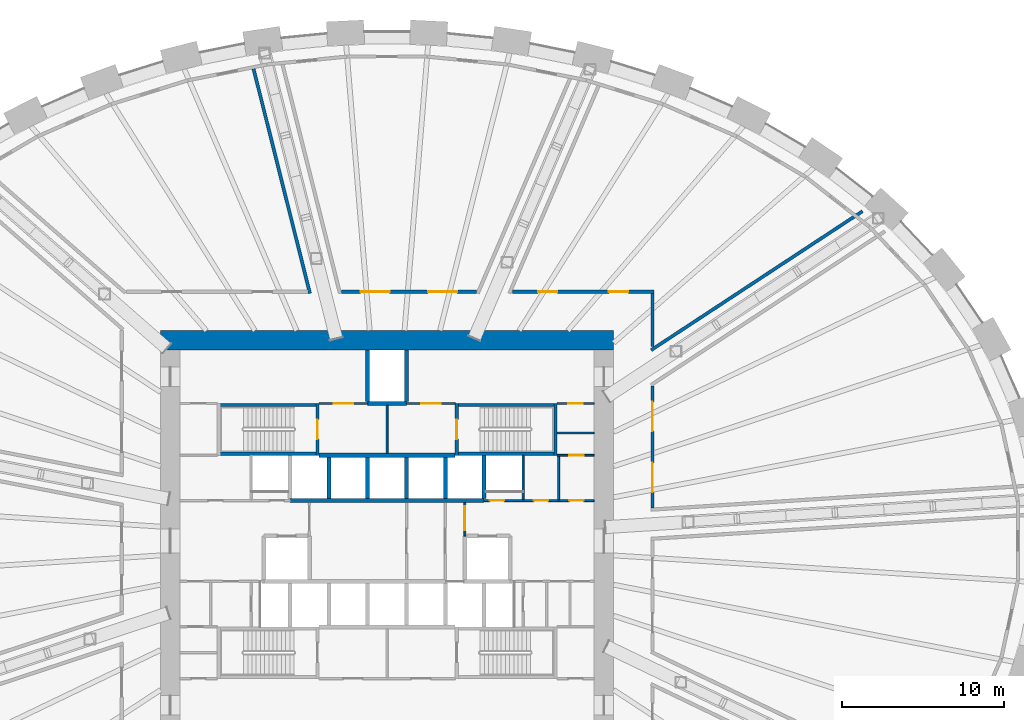
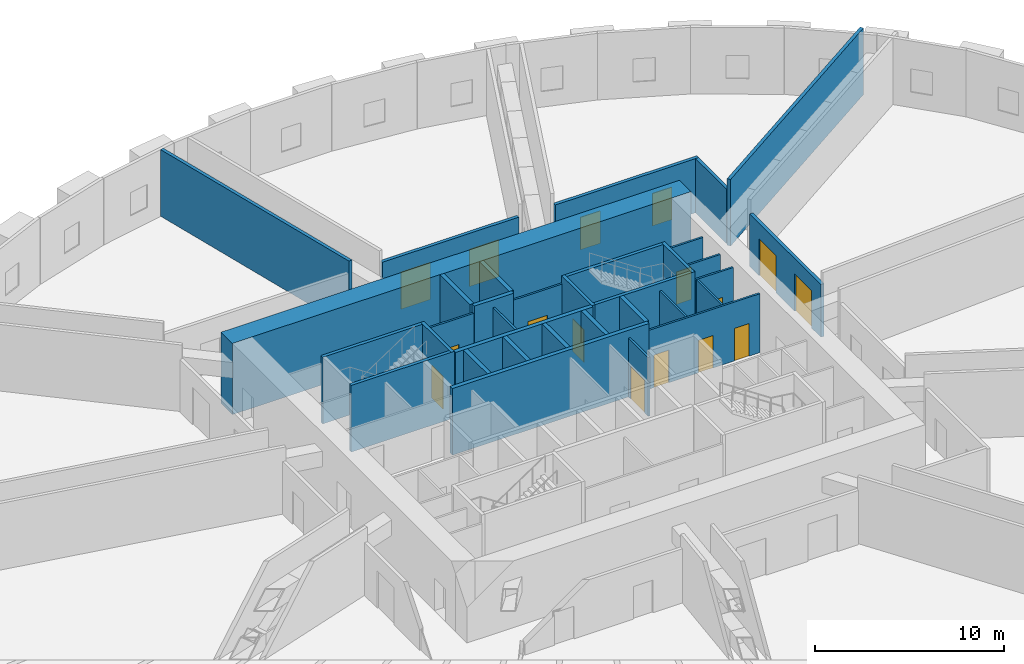
# One storey, part 11 of 14: 34 walls, 16 doors, 16 openings.
"""IFC4 building model written with IfcOpenShell, lengths in metres."""

from ifc_helpers import new_model, si_unit, direction, frame, frame_2d, origin, place, context, subcontext, project, spatial, rectangle, extrude, source, transform, mapped, material, layer, layer_set, type_object, element, fill, save


model = new_model("IFC4")

# Units and contexts
model_context = context("Model", 3, precision=1e-05, world=origin(), true_north=direction((0.0, 1.0)))
body_context = subcontext(model_context, "Body", "Model", "MODEL_VIEW")
ifc_project = project(units=[si_unit("LENGTHUNIT", "METRE"), si_unit("AREAUNIT", "SQUARE_METRE"), si_unit("VOLUMEUNIT", "CUBIC_METRE"), si_unit("PLANEANGLEUNIT", "RADIAN"), si_unit("MASSUNIT", "GRAM", prefix="KILO")], contexts=[model_context])

# Site, building, storey
site_placement = place(None, origin())
site = spatial("IfcSite", under=ifc_project, at=site_placement, CompositionType="ELEMENT")
building_placement = place(site_placement, origin())
building = spatial("IfcBuilding", under=site, at=building_placement, Name="Embergate Tower", CompositionType="ELEMENT")
storey_placement = place(building_placement, frame((0.0, 0.0, 101.0)))
storey = spatial("IfcBuildingStorey", under=building, at=storey_placement, Name="L21", CompositionType="ELEMENT", Elevation=101.0)

# Walls
ifc_material_1 = material(Name="Concrete C80", Category="concrete")
ifc_layer_1 = layer(ifc_material_1, 1.199951171875)
ifc_layer_set_1 = layer_set([ifc_layer_1], Name="Concrete C80")
wall_type_1 = type_object("IfcWallType", Name="Core outer wall C80 1200", PredefinedType="SHEAR", material=ifc_layer_set_1)
shared_shape_1 = source(origin(), body_context, "Body", "SweptSolid", [
    extrude(rectangle(XDim=28.0, YDim=1.199951171875, at=frame_2d((14.0, 0.0))), origin(), (0.0, 0.0, 1.0), 4.60009765625),
])
wall_1_placement = place(storey_placement, frame((-14.0, 12.39990234375, -0.300048828125), z_axis=(0.0, 0.0, 1.0), x_axis=(1.0, 0.0, 0.0)))
element("IfcWall", 1, at=wall_1_placement, inside=storey, type_object=wall_type_1, Name="CW-L21-N", PredefinedType="SHEAR", context=body_context, shape_type="MappedRepresentation", body=[
    mapped(shared_shape_1, transform((0.0, 0.0, 0.0))),
])
ifc_material_2 = material(Name="Concrete C50", Category="concrete")
ifc_layer_2 = layer(ifc_material_2, 0.25)
ifc_layer_set_2 = layer_set([ifc_layer_2], Name="Concrete C50")
wall_type_2 = type_object("IfcWallType", Name="Hoistway wall reinforced concrete 250", PredefinedType="SHEAR", material=ifc_layer_set_2)
shared_shape_2 = source(origin(), body_context, "Body", "SweptSolid", [
    extrude(rectangle(XDim=2.675048828125, YDim=0.25, at=frame_2d((1.33740234375, 0.0))), origin(), (0.0, 0.0, 1.0), 4.300048828125),
])
wall_2_placement = place(storey_placement, frame((6.0, 2.625, 0.0), z_axis=(0.0, 0.0, 1.0), x_axis=(0.0, 1.0, 0.0)))
element("IfcWall", 2, at=wall_2_placement, inside=storey, type_object=wall_type_2, Name="HW-1 wall", PredefinedType="SHEAR", context=body_context, shape_type="MappedRepresentation", body=[
    mapped(shared_shape_2, transform((0.0, 0.0, 0.0))),
])
ifc_layer_3 = layer(ifc_material_2, 0.199951171875)
ifc_layer_set_3 = layer_set([ifc_layer_3], Name="Concrete C50")
wall_type_3 = type_object("IfcWallType", Name="Stair enclosure wall reinforced concrete 250", PredefinedType="SHEAR", material=ifc_layer_set_3)
shared_shape_3 = source(origin(), body_context, "Body", "SweptSolid", [
    extrude(rectangle(XDim=6.300048828125, YDim=0.199951171875, at=frame_2d((3.14990234375, 0.0))), origin(), (0.0, 0.0, 1.0), 4.300048828125),
])
for number, where, z_axis, x_axis, name in (
    (3, (-4.199951171875, 5.39990234375, 0.0), (0.0, 0.0, 1.0), (-1.0, 0.0, 0.0), "SE-1 wall"),
    (4, (10.5, 5.39990234375, 0.0), (0.0, 0.0, 1.0), (-1.0, 0.0, 0.0), "SE-1 wall"),
    (5, (-4.199951171875, 8.39990234375, 0.0), (0.0, 0.0, 1.0), (-1.0, 0.0, 0.0), "SE-1 wall"),
    (6, (10.5, 8.39990234375, 0.0), (0.0, 0.0, 1.0), (-1.0, 0.0, 0.0), "SE-1 wall"),
):
    element("IfcWall", number, at=place(storey_placement, frame(where, z_axis=z_axis, x_axis=x_axis)), inside=storey, type_object=wall_type_3, Name=name, PredefinedType="SHEAR", context=body_context, shape_type="MappedRepresentation", body=[
        mapped(shared_shape_3, transform((0.0, 0.0, 0.0))),
    ])
shared_shape_4 = source(origin(), body_context, "Body", "SweptSolid", [
    extrude(rectangle(XDim=2.550048828125, YDim=0.25, at=frame_2d((1.27490234375, 0.0))), origin(), (0.0, 0.0, 1.0), 4.300048828125),
])
for number, where, z_axis, x_axis, name in (
    (7, (-3.60009765625, 2.625, 0.0), (0.0, 0.0, 1.0), (0.0, 1.0, 0.0), "HW-1 wall"),
    (8, (-1.199951171875, 2.625, 0.0), (0.0, 0.0, 1.0), (0.0, 1.0, 0.0), "HW-1 wall"),
    (9, (1.199951171875, 2.625, 0.0), (0.0, 0.0, 1.0), (0.0, 1.0, 0.0), "HW-1 wall"),
    (10, (3.60009765625, 2.625, 0.0), (0.0, 0.0, 1.0), (0.0, 1.0, 0.0), "HW-1 wall"),
):
    element("IfcWall", number, at=place(storey_placement, frame(where, z_axis=z_axis, x_axis=x_axis)), inside=storey, type_object=wall_type_2, Name=name, PredefinedType="SHEAR", context=body_context, shape_type="MappedRepresentation", body=[
        mapped(shared_shape_4, transform((0.0, 0.0, 0.0))),
    ])
shared_shape_5 = source(origin(), body_context, "Body", "SweptSolid", [
    extrude(rectangle(XDim=12.0, YDim=0.25, at=frame_2d((6.0, 0.0))), origin(), (0.0, 0.0, 1.0), 4.300048828125),
])
wall_3_placement = place(storey_placement, frame((-6.0, 2.5, 0.0), z_axis=(0.0, 0.0, 1.0), x_axis=(1.0, 0.0, 0.0)))
element("IfcWall", 11, at=wall_3_placement, inside=storey, type_object=wall_type_2, Name="HW-1 wall", PredefinedType="SHEAR", context=body_context, shape_type="MappedRepresentation", body=[
    mapped(shared_shape_5, transform((0.0, 0.0, 0.0))),
])
shared_shape_6 = source(origin(), body_context, "Body", "SweptSolid", [
    extrude(rectangle(XDim=8.39990234375, YDim=0.25, at=frame_2d((4.199951171875, 0.0))), origin(), (0.0, 0.0, 1.0), 4.300048828125),
])
wall_4_placement = place(storey_placement, frame((4.199951171875, 5.300048828125, 0.0), z_axis=(0.0, 0.0, 1.0), x_axis=(-1.0, 0.0, 0.0)))
element("IfcWall", 12, at=wall_4_placement, inside=storey, type_object=wall_type_2, Name="HW-1 wall", PredefinedType="SHEAR", context=body_context, shape_type="MappedRepresentation", body=[
    mapped(shared_shape_6, transform((0.0, 0.0, 0.0))),
])

# Wall, opening, door
shared_shape_7 = source(origin(), body_context, "Body", "SweptSolid", [
    extrude(rectangle(XDim=3.199951171875, YDim=0.199951171875, at=frame_2d((1.60009765625, 0.0))), origin(), (0.0, 0.0, 1.0), 4.300048828125),
])
wall_5_placement = place(storey_placement, frame((-4.300048828125, 5.300048828125, 0.0), z_axis=(0.0, 0.0, 1.0), x_axis=(0.0, 1.0, 0.0)))
wall_5 = element("IfcWall", 13, at=wall_5_placement, inside=storey, type_object=wall_type_3, Name="SE-1 wall", PredefinedType="SHEAR", context=body_context, shape_type="MappedRepresentation", body=[
    mapped(shared_shape_7, transform((0.0, 0.0, 0.0))),
])
shared_shape_8 = source(origin(), body_context, "Body", "SweptSolid", [
    extrude(rectangle(XDim=1.199951171875, YDim=2.10009765625, at=frame_2d((0.60009765625, 1.050048828125))), frame((0.0, 0.10986328125, 0.0), z_axis=(0.0, -1.0, 0.0), x_axis=(1.0, 0.0, 0.0)), (0.0, 0.0, 1.0), 0.219970703125),
])
opening_1_placement = place(wall_5_placement, frame((1.0, 0.0, 0.0)))
opening_1 = element("IfcOpeningElement", 14, at=opening_1_placement, cuts=wall_5, Name="Opening IF-2", PredefinedType="OPENING", context=body_context, shape_type="MappedRepresentation", body=[
    mapped(shared_shape_8, transform((0.0, 0.0, 0.0))),
])
ifc_material_3 = material(Name="Stair enclosure door 1200")
door_type_1 = type_object("IfcDoorType", Name="Stair enclosure door 1200", OperationType="SINGLE_SWING_LEFT", PredefinedType="DOOR", material=ifc_material_3)
shared_shape_9 = source(origin(), body_context, "Body", "SweptSolid", [
    extrude(rectangle(XDim=1.199951171875, YDim=2.10009765625, at=frame_2d((0.60009765625, 1.050048828125))), frame((0.0, 0.02490234375, 0.0), z_axis=(0.0, -1.0, 0.0), x_axis=(1.0, 0.0, 0.0)), (0.0, 0.0, 1.0), 0.050048828125),
])
door_1_placement = place(opening_1_placement, origin())
door_1 = element("IfcDoor", 15, at=door_1_placement, inside=storey, type_object=door_type_1, Name="IF-2 door", OperationType="SINGLE_SWING_LEFT", OverallHeight=2.10009765625, OverallWidth=1.199951171875, PredefinedType="DOOR", context=body_context, shape_type="MappedRepresentation", body=[
    mapped(shared_shape_9, transform((0.0, 0.0, 0.0))),
])
fill(opening_1, door_1)

wall_6_placement = place(storey_placement, frame((4.300048828125, 8.5, 0.0), z_axis=(0.0, 0.0, 1.0), x_axis=(0.0, -1.0, 0.0)))
wall_6 = element("IfcWall", 16, at=wall_6_placement, inside=storey, type_object=wall_type_3, Name="SE-1 wall", PredefinedType="SHEAR", context=body_context, shape_type="MappedRepresentation", body=[
    mapped(shared_shape_7, transform((0.0, 0.0, 0.0))),
])
opening_2_placement = place(wall_6_placement, frame((1.0, 0.0, 0.0)))
opening_2 = element("IfcOpeningElement", 17, at=opening_2_placement, cuts=wall_6, Name="Opening IF-2", PredefinedType="OPENING", context=body_context, shape_type="MappedRepresentation", body=[
    mapped(shared_shape_8, transform((0.0, 0.0, 0.0))),
])
door_2_placement = place(opening_2_placement, origin())
door_2 = element("IfcDoor", 18, at=door_2_placement, inside=storey, type_object=door_type_1, Name="IF-2 door", OperationType="SINGLE_SWING_LEFT", OverallHeight=2.10009765625, OverallWidth=1.199951171875, PredefinedType="DOOR", context=body_context, shape_type="MappedRepresentation", body=[
    mapped(shared_shape_9, transform((0.0, 0.0, 0.0))),
])
fill(opening_2, door_2)

# Walls
wall_7_placement = place(storey_placement, frame((10.39990234375, 5.300048828125, 0.0), z_axis=(0.0, 0.0, 1.0), x_axis=(0.0, 1.0, 0.0)))
element("IfcWall", 19, at=wall_7_placement, inside=storey, type_object=wall_type_3, Name="SE-1 wall", PredefinedType="SHEAR", context=body_context, shape_type="MappedRepresentation", body=[
    mapped(shared_shape_7, transform((0.0, 0.0, 0.0))),
])
shared_shape_10 = source(origin(), body_context, "Body", "SweptSolid", [
    extrude(rectangle(XDim=2.39990234375, YDim=0.25, at=frame_2d((1.199951171875, 0.0))), origin(), (0.0, 0.0, 1.0), 4.300048828125),
])
wall_8_placement = place(storey_placement, frame((1.199951171875, 8.5, 0.0), z_axis=(0.0, 0.0, 1.0), x_axis=(-1.0, 0.0, 0.0)))
element("IfcWall", 20, at=wall_8_placement, inside=storey, type_object=wall_type_2, Name="HW-1 wall", PredefinedType="SHEAR", context=body_context, shape_type="MappedRepresentation", body=[
    mapped(shared_shape_10, transform((0.0, 0.0, 0.0))),
])
shared_shape_11 = source(origin(), body_context, "Body", "SweptSolid", [
    extrude(rectangle(XDim=3.175048828125, YDim=0.25, at=frame_2d((1.58740234375, 0.0))), origin(), (0.0, 0.0, 1.0), 4.300048828125),
])
for number, where, z_axis, x_axis, name in (
    (21, (-1.199951171875, 8.625, 0.0), (0.0, 0.0, 1.0), (0.0, 1.0, 0.0), "HW-1 wall"),
    (22, (1.199951171875, 11.800048828125, 0.0), (0.0, 0.0, 1.0), (0.0, -1.0, 0.0), "HW-1 wall"),
):
    element("IfcWall", number, at=place(storey_placement, frame(where, z_axis=z_axis, x_axis=x_axis)), inside=storey, type_object=wall_type_2, Name=name, PredefinedType="SHEAR", context=body_context, shape_type="MappedRepresentation", body=[
        mapped(shared_shape_11, transform((0.0, 0.0, 0.0))),
    ])

# Wall, openings, doors
ifc_material_4 = material(Name="Core partition blockwork 120")
ifc_layer_4 = layer(ifc_material_4, 0.1201171875)
ifc_layer_set_4 = layer_set([ifc_layer_4], Name="Core partition blockwork 120")
wall_type_4 = type_object("IfcWallType", Name="Core partition blockwork 120", PredefinedType="PARTITIONING", material=ifc_layer_set_4)
shared_shape_12 = source(origin(), body_context, "Body", "SweptSolid", [
    extrude(rectangle(XDim=6.800048828125, YDim=0.1201171875, at=frame_2d((3.39990234375, 0.0))), origin(), (0.0, 0.0, 1.0), 3.800048828125),
])
wall_9_placement = place(storey_placement, frame((6.0, 2.5, 0.0), z_axis=(0.0, 0.0, 1.0), x_axis=(1.0, 0.0, 0.0)))
wall_9 = element("IfcWall", 23, at=wall_9_placement, inside=storey, type_object=wall_type_4, Name="IP-3 wall", PredefinedType="PARTITIONING", context=body_context, shape_type="MappedRepresentation", body=[
    mapped(shared_shape_12, transform((0.0, 0.0, 0.0))),
])
shared_shape_13 = source(origin(), body_context, "Body", "SweptSolid", [
    extrude(rectangle(XDim=0.89990234375, YDim=2.10009765625, at=frame_2d((0.449951171875, 1.050048828125))), frame((0.0, 0.070068359375, 0.0), z_axis=(0.0, -1.0, 0.0), x_axis=(1.0, 0.0, 0.0)), (0.0, 0.0, 1.0), 0.14013671875),
])
opening_3_placement = place(wall_9_placement, frame((0.35009765625, 0.0, 0.0)))
opening_3 = element("IfcOpeningElement", 24, at=opening_3_placement, cuts=wall_9, Name="Opening ID-1", PredefinedType="OPENING", context=body_context, shape_type="MappedRepresentation", body=[
    mapped(shared_shape_13, transform((0.0, 0.0, 0.0))),
])
opening_4_placement = place(wall_9_placement, frame((3.050048828125, 0.0, 0.0)))
opening_4 = element("IfcOpeningElement", 25, at=opening_4_placement, cuts=wall_9, Name="Opening ID-1", PredefinedType="OPENING", context=body_context, shape_type="MappedRepresentation", body=[
    mapped(shared_shape_13, transform((0.0, 0.0, 0.0))),
])
opening_5_placement = place(wall_9_placement, frame((5.25, 0.0, 0.0)))
opening_5 = element("IfcOpeningElement", 26, at=opening_5_placement, cuts=wall_9, Name="Opening ID-1", PredefinedType="OPENING", context=body_context, shape_type="MappedRepresentation", body=[
    mapped(shared_shape_13, transform((0.0, 0.0, 0.0))),
])
ifc_material_5 = material(Name="Interior door 900")
door_type_2 = type_object("IfcDoorType", Name="Interior door 900", OperationType="SINGLE_SWING_LEFT", PredefinedType="DOOR", material=ifc_material_5)
shared_shape_14 = source(origin(), body_context, "Body", "SweptSolid", [
    extrude(rectangle(XDim=0.89990234375, YDim=2.10009765625, at=frame_2d((0.449951171875, 1.050048828125))), frame((0.0, 0.02490234375, 0.0), z_axis=(0.0, -1.0, 0.0), x_axis=(1.0, 0.0, 0.0)), (0.0, 0.0, 1.0), 0.050048828125),
])
door_3_placement = place(opening_3_placement, origin())
door_3 = element("IfcDoor", 27, at=door_3_placement, inside=storey, type_object=door_type_2, Name="ID-1 door", OperationType="SINGLE_SWING_RIGHT", OverallHeight=2.10009765625, OverallWidth=0.89990234375, PredefinedType="DOOR", context=body_context, shape_type="MappedRepresentation", body=[
    mapped(shared_shape_14, transform((0.0, 0.0, 0.0))),
])
fill(opening_3, door_3)
door_4_placement = place(opening_4_placement, origin())
door_4 = element("IfcDoor", 28, at=door_4_placement, inside=storey, type_object=door_type_2, Name="ID-1 door", OperationType="SINGLE_SWING_LEFT", OverallHeight=2.10009765625, OverallWidth=0.89990234375, PredefinedType="DOOR", context=body_context, shape_type="MappedRepresentation", body=[
    mapped(shared_shape_14, transform((0.0, 0.0, 0.0))),
])
fill(opening_4, door_4)
door_5_placement = place(opening_5_placement, origin())
door_5 = element("IfcDoor", 29, at=door_5_placement, inside=storey, type_object=door_type_2, Name="ID-1 door", OperationType="SINGLE_SWING_LEFT", OverallHeight=2.10009765625, OverallWidth=0.89990234375, PredefinedType="DOOR", context=body_context, shape_type="MappedRepresentation", body=[
    mapped(shared_shape_14, transform((0.0, 0.0, 0.0))),
])
fill(opening_5, door_5)

# Wall
shared_shape_15 = source(origin(), body_context, "Body", "SweptSolid", [
    extrude(rectangle(XDim=2.739990234375, YDim=0.1201171875, at=frame_2d((1.3701171875, 0.0))), origin(), (0.0, 0.0, 1.0), 3.800048828125),
])
wall_10_placement = place(storey_placement, frame((8.39990234375, 2.56005859375, 0.0), z_axis=(0.0, 0.0, 1.0), x_axis=(0.0, 1.0, 0.0)))
element("IfcWall", 30, at=wall_10_placement, inside=storey, type_object=wall_type_4, Name="IP-3 wall", PredefinedType="PARTITIONING", context=body_context, shape_type="MappedRepresentation", body=[
    mapped(shared_shape_15, transform((0.0, 0.0, 0.0))),
])

# Wall, opening, door
shared_shape_16 = source(origin(), body_context, "Body", "SweptSolid", [
    extrude(rectangle(XDim=2.074951171875, YDim=0.1201171875, at=frame_2d((1.03759765625, 0.0))), origin(), (0.0, 0.0, 1.0), 3.800048828125),
])
wall_11_placement = place(storey_placement, frame((4.800048828125, 0.300048828125, 0.0), z_axis=(0.0, 0.0, 1.0), x_axis=(0.0, 1.0, 0.0)))
wall_11 = element("IfcWall", 31, at=wall_11_placement, inside=storey, type_object=wall_type_4, Name="IP-3 wall", PredefinedType="PARTITIONING", context=body_context, shape_type="MappedRepresentation", body=[
    mapped(shared_shape_16, transform((0.0, 0.0, 0.0))),
])
shared_shape_17 = source(origin(), body_context, "Body", "SweptSolid", [
    extrude(rectangle(XDim=1.5, YDim=2.10009765625, at=frame_2d((0.75, 1.050048828125))), frame((0.0, 0.070068359375, 0.0), z_axis=(0.0, -1.0, 0.0), x_axis=(1.0, 0.0, 0.0)), (0.0, 0.0, 1.0), 0.14013671875),
])
opening_6_placement = place(wall_11_placement, frame((0.35009765625, 0.0, 0.0)))
opening_6 = element("IfcOpeningElement", 32, at=opening_6_placement, cuts=wall_11, Name="Opening IF-3", PredefinedType="OPENING", context=body_context, shape_type="MappedRepresentation", body=[
    mapped(shared_shape_17, transform((0.0, 0.0, 0.0))),
])
ifc_material_6 = material(Name="Lobby fire door pair 1500")
door_type_3 = type_object("IfcDoorType", Name="Lobby fire door pair 1500", OperationType="DOUBLE_DOOR_SINGLE_SWING", PredefinedType="DOOR", material=ifc_material_6)
shared_shape_18 = source(origin(), body_context, "Body", "SweptSolid", [
    extrude(rectangle(XDim=1.5, YDim=2.10009765625, at=frame_2d((0.75, 1.050048828125))), frame((0.0, 0.02490234375, 0.0), z_axis=(0.0, -1.0, 0.0), x_axis=(1.0, 0.0, 0.0)), (0.0, 0.0, 1.0), 0.050048828125),
])
door_6_placement = place(opening_6_placement, origin())
door_6 = element("IfcDoor", 33, at=door_6_placement, inside=storey, type_object=door_type_3, Name="IF-3 door", OperationType="DOUBLE_DOOR_SINGLE_SWING", OverallHeight=2.10009765625, OverallWidth=1.5, PredefinedType="DOOR", context=body_context, shape_type="MappedRepresentation", body=[
    mapped(shared_shape_18, transform((0.0, 0.0, 0.0))),
])
fill(opening_6, door_6)

# Wall
shared_shape_19 = source(origin(), body_context, "Body", "SweptSolid", [
    extrude(rectangle(XDim=2.949951171875, YDim=0.1201171875, at=frame_2d((1.47509765625, 0.0))), origin(), (0.0, 0.0, 1.0), 3.800048828125),
])
wall_12_placement = place(storey_placement, frame((0.0, 5.425048828125, 0.0), z_axis=(0.0, 0.0, 1.0), x_axis=(0.0, 1.0, 0.0)))
element("IfcWall", 34, at=wall_12_placement, inside=storey, type_object=wall_type_4, Name="IP-3 wall", PredefinedType="PARTITIONING", context=body_context, shape_type="MappedRepresentation", body=[
    mapped(shared_shape_19, transform((0.0, 0.0, 0.0))),
])

# Wall, opening, door
shared_shape_20 = source(origin(), body_context, "Body", "SweptSolid", [
    extrude(rectangle(XDim=3.0, YDim=0.1201171875, at=frame_2d((1.5, 0.0))), origin(), (0.0, 0.0, 1.0), 3.800048828125),
])
wall_13_placement = place(storey_placement, frame((-1.199951171875, 8.5, 0.0), z_axis=(0.0, 0.0, 1.0), x_axis=(-1.0, 0.0, 0.0)))
wall_13 = element("IfcWall", 35, at=wall_13_placement, inside=storey, type_object=wall_type_4, Name="IP-3 wall", PredefinedType="PARTITIONING", context=body_context, shape_type="MappedRepresentation", body=[
    mapped(shared_shape_20, transform((0.0, 0.0, 0.0))),
])
shared_shape_21 = source(origin(), body_context, "Body", "SweptSolid", [
    extrude(rectangle(XDim=1.199951171875, YDim=2.10009765625, at=frame_2d((0.60009765625, 1.050048828125))), frame((0.0, 0.070068359375, 0.0), z_axis=(0.0, -1.0, 0.0), x_axis=(1.0, 0.0, 0.0)), (0.0, 0.0, 1.0), 0.14013671875),
])
opening_7_placement = place(wall_13_placement, frame((0.89990234375, 0.0, 0.0)))
opening_7 = element("IfcOpeningElement", 36, at=opening_7_placement, cuts=wall_13, Name="Opening IF-3f", PredefinedType="OPENING", context=body_context, shape_type="MappedRepresentation", body=[
    mapped(shared_shape_21, transform((0.0, 0.0, 0.0))),
])
ifc_material_7 = material(Name="Lobby fire door pair 1200")
door_type_4 = type_object("IfcDoorType", Name="Lobby fire door pair 1200", OperationType="DOUBLE_DOOR_SINGLE_SWING", PredefinedType="DOOR", material=ifc_material_7)
door_7_placement = place(opening_7_placement, origin())
door_7 = element("IfcDoor", 37, at=door_7_placement, inside=storey, type_object=door_type_4, Name="IF-3 door", OperationType="DOUBLE_DOOR_SINGLE_SWING", OverallHeight=2.10009765625, OverallWidth=1.199951171875, PredefinedType="DOOR", context=body_context, shape_type="MappedRepresentation", body=[
    mapped(shared_shape_9, transform((0.0, 0.0, 0.0))),
])
fill(opening_7, door_7)

wall_14_placement = place(storey_placement, frame((4.199951171875, 8.5, 0.0), z_axis=(0.0, 0.0, 1.0), x_axis=(-1.0, 0.0, 0.0)))
wall_14 = element("IfcWall", 38, at=wall_14_placement, inside=storey, type_object=wall_type_4, Name="IP-3 wall", PredefinedType="PARTITIONING", context=body_context, shape_type="MappedRepresentation", body=[
    mapped(shared_shape_20, transform((0.0, 0.0, 0.0))),
])
opening_8_placement = place(wall_14_placement, frame((0.89990234375, 0.0, 0.0)))
opening_8 = element("IfcOpeningElement", 39, at=opening_8_placement, cuts=wall_14, Name="Opening IF-3f", PredefinedType="OPENING", context=body_context, shape_type="MappedRepresentation", body=[
    mapped(shared_shape_21, transform((0.0, 0.0, 0.0))),
])
door_8_placement = place(opening_8_placement, origin())
door_8 = element("IfcDoor", 40, at=door_8_placement, inside=storey, type_object=door_type_4, Name="IF-3 door", OperationType="DOUBLE_DOOR_SINGLE_SWING", OverallHeight=2.10009765625, OverallWidth=1.199951171875, PredefinedType="DOOR", context=body_context, shape_type="MappedRepresentation", body=[
    mapped(shared_shape_9, transform((0.0, 0.0, 0.0))),
])
fill(opening_8, door_8)

shared_shape_22 = source(origin(), body_context, "Body", "SweptSolid", [
    extrude(rectangle(XDim=2.300048828125, YDim=0.1201171875, at=frame_2d((1.14990234375, 0.0))), origin(), (0.0, 0.0, 1.0), 3.800048828125),
])
wall_15_placement = place(storey_placement, frame((10.5, 8.5, 0.0), z_axis=(0.0, 0.0, 1.0), x_axis=(1.0, 0.0, 0.0)))
wall_15 = element("IfcWall", 41, at=wall_15_placement, inside=storey, type_object=wall_type_4, Name="IP-3 wall", PredefinedType="PARTITIONING", context=body_context, shape_type="MappedRepresentation", body=[
    mapped(shared_shape_22, transform((0.0, 0.0, 0.0))),
])
opening_9_placement = place(wall_15_placement, frame((0.699951171875, 0.0, 0.0)))
opening_9 = element("IfcOpeningElement", 42, at=opening_9_placement, cuts=wall_15, Name="Opening ID-1", PredefinedType="OPENING", context=body_context, shape_type="MappedRepresentation", body=[
    mapped(shared_shape_13, transform((0.0, 0.0, 0.0))),
])
door_9_placement = place(opening_9_placement, origin())
door_9 = element("IfcDoor", 43, at=door_9_placement, inside=storey, type_object=door_type_2, Name="ID-1 door", OperationType="SINGLE_SWING_RIGHT", OverallHeight=2.10009765625, OverallWidth=0.89990234375, PredefinedType="DOOR", context=body_context, shape_type="MappedRepresentation", body=[
    mapped(shared_shape_14, transform((0.0, 0.0, 0.0))),
])
fill(opening_9, door_9)

wall_16_placement = place(storey_placement, frame((12.800048828125, 5.300048828125, 0.0), z_axis=(0.0, 0.0, 1.0), x_axis=(-1.0, 0.0, 0.0)))
wall_16 = element("IfcWall", 44, at=wall_16_placement, inside=storey, type_object=wall_type_4, Name="IP-3 wall", PredefinedType="PARTITIONING", context=body_context, shape_type="MappedRepresentation", body=[
    mapped(shared_shape_22, transform((0.0, 0.0, 0.0))),
])
opening_10_placement = place(wall_16_placement, frame((0.64990234375, 0.0, 0.0)))
opening_10 = element("IfcOpeningElement", 45, at=opening_10_placement, cuts=wall_16, Name="Opening ID-1", PredefinedType="OPENING", context=body_context, shape_type="MappedRepresentation", body=[
    mapped(shared_shape_13, transform((0.0, 0.0, 0.0))),
])
door_10_placement = place(opening_10_placement, origin())
door_10 = element("IfcDoor", 46, at=door_10_placement, inside=storey, type_object=door_type_2, Name="ID-1 door", OperationType="SINGLE_SWING_LEFT", OverallHeight=2.10009765625, OverallWidth=0.89990234375, PredefinedType="DOOR", context=body_context, shape_type="MappedRepresentation", body=[
    mapped(shared_shape_14, transform((0.0, 0.0, 0.0))),
])
fill(opening_10, door_10)

# Walls
wall_17_placement = place(storey_placement, frame((12.800048828125, 6.676025390625, 0.0), z_axis=(0.0, 0.0, 1.0), x_axis=(-1.0, 0.0, 0.0)))
element("IfcWall", 47, at=wall_17_placement, inside=storey, type_object=wall_type_4, Name="IP-3 wall", PredefinedType="PARTITIONING", context=body_context, shape_type="MappedRepresentation", body=[
    mapped(shared_shape_22, transform((0.0, 0.0, 0.0))),
])
shared_shape_23 = source(origin(), body_context, "Body", "SweptSolid", [
    extrude(rectangle(XDim=2.679931640625, YDim=0.1201171875, at=frame_2d((1.33984375, 0.0))), origin(), (0.0, 0.0, 1.0), 3.800048828125),
])
wall_18_placement = place(storey_placement, frame((10.60009765625, 2.56005859375, 0.0), z_axis=(0.0, 0.0, 1.0), x_axis=(0.0, 1.0, 0.0)))
element("IfcWall", 48, at=wall_18_placement, inside=storey, type_object=wall_type_4, Name="IP-3 wall", PredefinedType="PARTITIONING", context=body_context, shape_type="MappedRepresentation", body=[
    mapped(shared_shape_23, transform((0.0, 0.0, 0.0))),
])
ifc_material_8 = material(Name="Blockwork, plastered", Category="masonry")
ifc_layer_5 = layer(ifc_material_8, 0.199951171875)
ifc_layer_set_5 = layer_set([ifc_layer_5], Name="Blockwork, plastered")
wall_type_5 = type_object("IfcWallType", Name="Fire partition wall 200 block", PredefinedType="PARTITIONING", material=ifc_layer_set_5)
shared_shape_24 = source(origin(), body_context, "Body", "SweptSolid", [
    extrude(rectangle(XDim=14.3232421875, YDim=0.199951171875, at=frame_2d((7.16162109375, 0.0))), origin(), (0.0, 0.0, 1.0), 4.300048828125),
])
wall_19_placement = place(storey_placement, frame((-8.258056640625, 29.195068359375, 0.0), z_axis=(0.0, 0.0, 1.0), x_axis=(0.243522105094, -0.969895347102, 0.0)))
element("IfcWall", 49, at=wall_19_placement, inside=storey, type_object=wall_type_5, Name="Partition 014", PredefinedType="PARTITIONING", context=body_context, shape_type="MappedRepresentation", body=[
    mapped(shared_shape_24, transform((0.0, 0.0, 0.0))),
])

# Wall, openings, doors
shared_shape_25 = source(origin(), body_context, "Body", "SweptSolid", [
    extrude(rectangle(XDim=8.347900390625, YDim=0.199951171875, at=frame_2d((4.173828125, 0.0))), origin(), (0.0, 0.0, 1.0), 3.5),
])
wall_20_placement = place(storey_placement, frame((-2.827880859375, 15.39990234375, 0.0), z_axis=(0.0, 0.0, 1.0), x_axis=(1.0, 0.0, 0.0)))
wall_20 = element("IfcWall", 50, at=wall_20_placement, inside=storey, type_object=wall_type_5, Name="Partition 016", PredefinedType="PARTITIONING", context=body_context, shape_type="MappedRepresentation", body=[
    mapped(shared_shape_25, transform((0.0, 0.0, 0.0))),
])
shared_shape_26 = source(origin(), body_context, "Body", "SweptSolid", [
    extrude(rectangle(XDim=1.800048828125, YDim=2.39990234375, at=frame_2d((0.89990234375, 1.199951171875))), frame((0.0, 0.10986328125, 0.0), z_axis=(0.0, -1.0, 0.0), x_axis=(1.0, 0.0, 0.0)), (0.0, 0.0, 1.0), 0.219970703125),
])
opening_11_placement = place(wall_20_placement, frame((1.18701171875, 0.0, 0.0)))
opening_11 = element("IfcOpeningElement", 51, at=opening_11_placement, cuts=wall_20, Name="Opening DS-159", PredefinedType="OPENING", context=body_context, shape_type="MappedRepresentation", body=[
    mapped(shared_shape_26, transform((0.0, 0.0, 0.0))),
])
opening_12_placement = place(wall_20_placement, frame((5.361083984375, 0.0, 0.0)))
opening_12 = element("IfcOpeningElement", 52, at=opening_12_placement, cuts=wall_20, Name="Opening DS-160", PredefinedType="OPENING", context=body_context, shape_type="MappedRepresentation", body=[
    mapped(shared_shape_26, transform((0.0, 0.0, 0.0))),
])
ifc_material_9 = material(Name="Timber door leaf, steel frame", Category="steel")
door_type_5 = type_object("IfcDoorType", Name="Double door 1800x2400", OperationType="DOUBLE_DOOR_SINGLE_SWING", PredefinedType="DOOR", material=ifc_material_9)
shared_shape_27 = source(origin(), body_context, "Body", "SweptSolid", [
    extrude(rectangle(XDim=1.800048828125, YDim=2.39990234375, at=frame_2d((0.89990234375, 1.199951171875))), frame((0.0, 0.02490234375, 0.0), z_axis=(0.0, -1.0, 0.0), x_axis=(1.0, 0.0, 0.0)), (0.0, 0.0, 1.0), 0.050048828125),
])
door_11_placement = place(opening_11_placement, origin())
door_11 = element("IfcDoor", 53, at=door_11_placement, inside=storey, type_object=door_type_5, Name="Door to Refuge area", OperationType="SINGLE_SWING_LEFT", OverallHeight=2.39990234375, OverallWidth=1.800048828125, PredefinedType="DOOR", context=body_context, shape_type="MappedRepresentation", body=[
    mapped(shared_shape_27, transform((0.0, 0.0, 0.0))),
])
fill(opening_11, door_11)
door_12_placement = place(opening_12_placement, origin())
door_12 = element("IfcDoor", 54, at=door_12_placement, inside=storey, type_object=door_type_5, Name="Door to Refuge area", OperationType="SINGLE_SWING_LEFT", OverallHeight=2.39990234375, OverallWidth=1.800048828125, PredefinedType="DOOR", context=body_context, shape_type="MappedRepresentation", body=[
    mapped(shared_shape_27, transform((0.0, 0.0, 0.0))),
])
fill(opening_12, door_12)

shared_shape_28 = source(origin(), body_context, "Body", "SweptSolid", [
    extrude(rectangle(XDim=8.760986328125, YDim=0.199951171875, at=frame_2d((4.38037109375, 0.0))), origin(), (0.0, 0.0, 1.0), 3.5),
])
wall_21_placement = place(storey_placement, frame((7.739013671875, 15.39990234375, 0.0), z_axis=(0.0, 0.0, 1.0), x_axis=(1.0, 0.0, 0.0)))
wall_21 = element("IfcWall", 55, at=wall_21_placement, inside=storey, type_object=wall_type_5, Name="Partition 021", PredefinedType="PARTITIONING", context=body_context, shape_type="MappedRepresentation", body=[
    mapped(shared_shape_28, transform((0.0, 0.0, 0.0))),
])
opening_13_placement = place(wall_21_placement, frame((1.590087890625, 0.0, 0.0)))
opening_13 = element("IfcOpeningElement", 56, at=opening_13_placement, cuts=wall_21, Name="Opening DS-157", PredefinedType="OPENING", context=body_context, shape_type="MappedRepresentation", body=[
    mapped(shared_shape_8, transform((0.0, 0.0, 0.0))),
])
opening_14_placement = place(wall_21_placement, frame((5.970947265625, 0.0, 0.0)))
opening_14 = element("IfcOpeningElement", 57, at=opening_14_placement, cuts=wall_21, Name="Opening DS-158", PredefinedType="OPENING", context=body_context, shape_type="MappedRepresentation", body=[
    mapped(shared_shape_8, transform((0.0, 0.0, 0.0))),
])
door_type_6 = type_object("IfcDoorType", Name="Plant door 1200x2100", OperationType="SINGLE_SWING_LEFT", PredefinedType="DOOR", material=ifc_material_9)
shared_shape_29 = source(origin(), body_context, "Body", "SweptSolid", [
    extrude(rectangle(XDim=1.199951171875, YDim=2.10009765625, at=frame_2d((0.60009765625, 1.050048828125))), frame((0.0, 0.02490234375, 0.0), z_axis=(0.0, -1.0, 0.0), x_axis=(1.0, 0.0, 0.0)), (0.0, 0.0, 1.0), 0.050048828125),
])
door_13_placement = place(opening_13_placement, origin())
door_13 = element("IfcDoor", 58, at=door_13_placement, inside=storey, type_object=door_type_6, Name="Door to Mechanical plant room", OperationType="SINGLE_SWING_LEFT", OverallHeight=2.10009765625, OverallWidth=1.199951171875, PredefinedType="DOOR", context=body_context, shape_type="MappedRepresentation", body=[
    mapped(shared_shape_29, transform((0.0, 0.0, 0.0))),
])
fill(opening_13, door_13)
door_14_placement = place(opening_14_placement, origin())
door_14 = element("IfcDoor", 59, at=door_14_placement, inside=storey, type_object=door_type_6, Name="Door to Mechanical plant room", OperationType="SINGLE_SWING_LEFT", OverallHeight=2.10009765625, OverallWidth=1.199951171875, PredefinedType="DOOR", context=body_context, shape_type="MappedRepresentation", body=[
    mapped(shared_shape_29, transform((0.0, 0.0, 0.0))),
])
fill(opening_14, door_14)

shared_shape_30 = source(origin(), body_context, "Body", "SweptSolid", [
    extrude(rectangle(XDim=7.5361328125, YDim=0.199951171875, at=frame_2d((3.76806640625, 0.0))), origin(), (0.0, 0.0, 1.0), 3.39990234375),
])
wall_22_placement = place(storey_placement, frame((16.39990234375, 9.5791015625, 0.0), z_axis=(0.0, 0.0, 1.0), x_axis=(0.0, -1.0, 0.0)))
wall_22 = element("IfcWall", 60, at=wall_22_placement, inside=storey, type_object=wall_type_5, Name="Partition 030", PredefinedType="PARTITIONING", context=body_context, shape_type="MappedRepresentation", body=[
    mapped(shared_shape_30, transform((0.0, 0.0, 0.0))),
])
opening_15_placement = place(wall_22_placement, frame((0.98388671875, 0.0, 0.0)))
opening_15 = element("IfcOpeningElement", 61, at=opening_15_placement, cuts=wall_22, Name="Opening DS-155", PredefinedType="OPENING", context=body_context, shape_type="MappedRepresentation", body=[
    mapped(shared_shape_26, transform((0.0, 0.0, 0.0))),
])
opening_16_placement = place(wall_22_placement, frame((4.751953125, 0.0, 0.0)))
opening_16 = element("IfcOpeningElement", 62, at=opening_16_placement, cuts=wall_22, Name="Opening DS-156", PredefinedType="OPENING", context=body_context, shape_type="MappedRepresentation", body=[
    mapped(shared_shape_26, transform((0.0, 0.0, 0.0))),
])
door_15_placement = place(opening_15_placement, origin())
door_15 = element("IfcDoor", 63, at=door_15_placement, inside=storey, type_object=door_type_5, Name="Door to Refuge area", OperationType="SINGLE_SWING_LEFT", OverallHeight=2.39990234375, OverallWidth=1.800048828125, PredefinedType="DOOR", context=body_context, shape_type="MappedRepresentation", body=[
    mapped(shared_shape_27, transform((0.0, 0.0, 0.0))),
])
fill(opening_15, door_15)
door_16_placement = place(opening_16_placement, origin())
door_16 = element("IfcDoor", 64, at=door_16_placement, inside=storey, type_object=door_type_5, Name="Door to Refuge area", OperationType="SINGLE_SWING_LEFT", OverallHeight=2.39990234375, OverallWidth=1.800048828125, PredefinedType="DOOR", context=body_context, shape_type="MappedRepresentation", body=[
    mapped(shared_shape_27, transform((0.0, 0.0, 0.0))),
])
fill(opening_16, door_16)

# Walls
shared_shape_31 = source(origin(), body_context, "Body", "SweptSolid", [
    extrude(rectangle(XDim=3.278076171875, YDim=0.199951171875, at=frame_2d((1.63916015625, 0.0))), origin(), (0.0, 0.0, 1.0), 3.5),
])
wall_23_placement = place(storey_placement, frame((16.39990234375, 15.300048828125, 0.0), z_axis=(0.0, 0.0, 1.0), x_axis=(0.0, -1.0, 0.0)))
element("IfcWall", 65, at=wall_23_placement, inside=storey, type_object=wall_type_5, Name="Partition 032", PredefinedType="PARTITIONING", context=body_context, shape_type="MappedRepresentation", body=[
    mapped(shared_shape_31, transform((0.0, 0.0, 0.0))),
])
shared_shape_32 = source(origin(), body_context, "Body", "SweptSolid", [
    extrude(rectangle(XDim=15.6328125, YDim=0.199951171875, at=frame_2d((7.81640625, 0.0))), origin(), (0.0, 0.0, 1.0), 4.300048828125),
])
wall_24_placement = place(storey_placement, frame((29.381103515625, 20.381103515625, 0.0), z_axis=(0.0, 0.0, 1.0), x_axis=(-0.835755648989, -0.549101534494, 0.0)))
element("IfcWall", 66, at=wall_24_placement, inside=storey, type_object=wall_type_5, Name="Partition 034", PredefinedType="PARTITIONING", context=body_context, shape_type="MappedRepresentation", body=[
    mapped(shared_shape_32, transform((0.0, 0.0, 0.0))),
])

save(model, "model.ifc")
